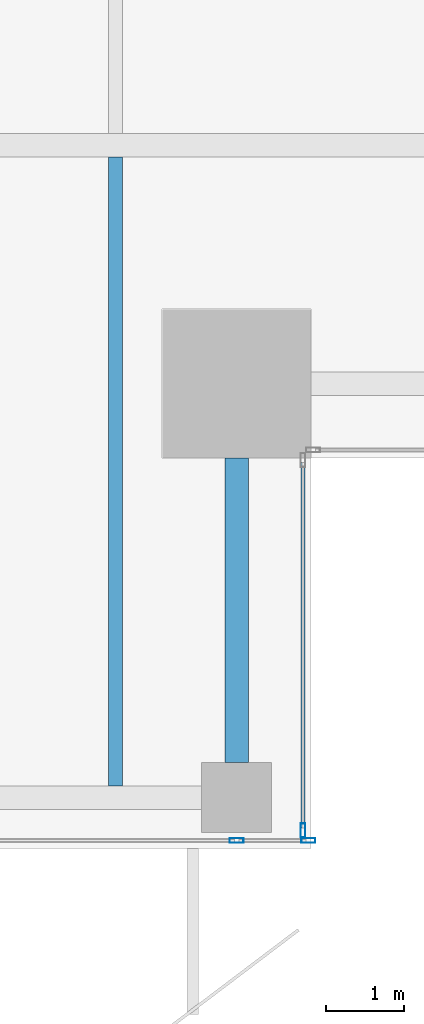
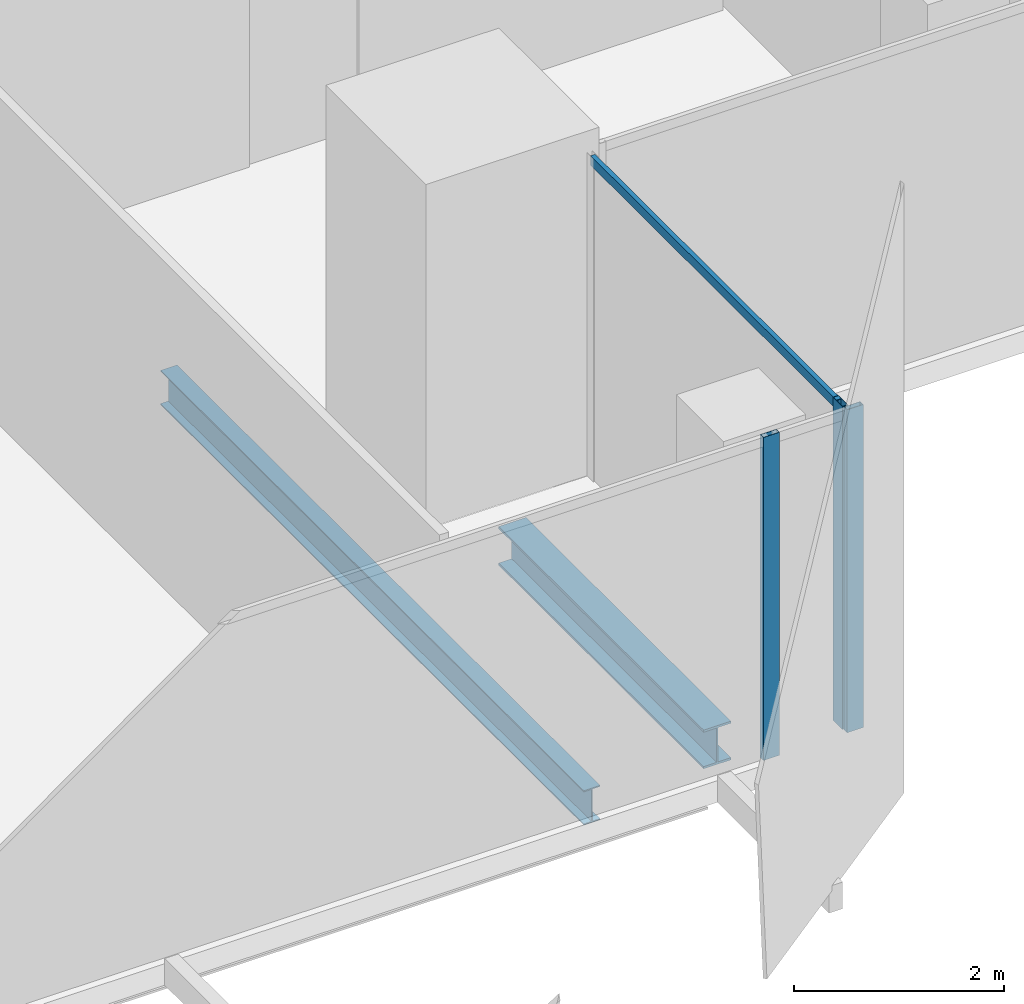
# One storey, part 8 of 35: 4 members, 2 beams, 2 elements without a shape of their own.
"""IFC4 building model written with IfcOpenShell, lengths in metres."""

from ifc_helpers import new_model, si_unit, direction, frame, origin, origin_2d, place, context, subcontext, project, spatial, hollow_rectangle, i_section, extrude, source, transform, mapped, material, material_profile, profile_set, type_object, element, aggregate, save


model = new_model("IFC4")

# Units and contexts
model_context = context("Model", 3, precision=1e-05, world=origin(), true_north=direction((0.0, 1.0)))
body_context = subcontext(model_context, "Body", "Model", "MODEL_VIEW")
ifc_project = project(units=[si_unit("LENGTHUNIT", "METRE"), si_unit("AREAUNIT", "SQUARE_METRE"), si_unit("VOLUMEUNIT", "CUBIC_METRE"), si_unit("PLANEANGLEUNIT", "RADIAN"), si_unit("MASSUNIT", "GRAM", prefix="KILO")], contexts=[model_context])

# Site, building, storey
site_placement = place(None, origin())
site = spatial("IfcSite", under=ifc_project, at=site_placement, CompositionType="ELEMENT")
building_placement = place(site_placement, origin())
building = spatial("IfcBuilding", under=site, at=building_placement, Name="Khomas Fold Tower", CompositionType="ELEMENT")
storey_placement = place(building_placement, frame((0.0, 0.0, 266.199951171875)))
storey = spatial("IfcBuildingStorey", under=building, at=storey_placement, Name="L60", CompositionType="ELEMENT", Elevation=266.199951171875)

# Beams
ifc_material_1 = material(Name="Steel S355", Category="steel")
ifc_material_profile_1 = material_profile(ifc_material_1, i_section(OverallWidth=0.300048828125, OverallDepth=0.449951171875, WebThickness=0.013916015625, FlangeThickness=0.02587890625, at=origin_2d()), Name="HE 450 B")
ifc_profile_set_1 = profile_set([ifc_material_profile_1], Name="Steel S355")
beam_type_1 = type_object("IfcBeamType", Name="HE 450 B spandrel SB4", PredefinedType="SPANDREL", material=ifc_profile_set_1)
shared_shape_1 = source(origin(), body_context, "Body", "SweptSolid", [
    extrude(i_section(OverallWidth=0.300048828125, OverallDepth=0.449951171875, WebThickness=0.013916015625, FlangeThickness=0.02587890625, at=origin_2d()), origin(), (0.0, 0.0, 1.0), 3.89990234375),
])
beam_1_placement = place(storey_placement, frame((43.550048828125, 5.60009765625, -0.474853515625), z_axis=(0.0, 1.0, 0.0), x_axis=(-1.0, 0.0, 0.0)))
element("IfcBeam", 1, at=beam_1_placement, inside=storey, type_object=beam_type_1, Name="SB4", PredefinedType="SPANDREL", context=body_context, shape_type="MappedRepresentation", body=[
    mapped(shared_shape_1, transform((0.0, 0.0, 0.0))),
])
ifc_material_2 = material(Name="Steel S355", Category="steel")
ifc_material_profile_2 = material_profile(ifc_material_2, i_section(OverallWidth=0.179931640625, OverallDepth=0.39990234375, WebThickness=0.008544921875, FlangeThickness=0.013427734375, at=origin_2d()), Name="IPE 400")
ifc_profile_set_2 = profile_set([ifc_material_profile_2], Name="Steel S355")
beam_type_2 = type_object("IfcBeamType", Name="IPE 400 beam JB3", PredefinedType="BEAM", material=ifc_profile_set_2)
shared_shape_2 = source(origin(), body_context, "Body", "SweptSolid", [
    extrude(i_section(OverallWidth=0.179931640625, OverallDepth=0.39990234375, WebThickness=0.008544921875, FlangeThickness=0.013427734375, at=origin_2d()), origin(), (0.0, 0.0, 1.0), 8.050048828125),
])
beam_2_placement = place(storey_placement, frame((42.0, 5.300048828125, -0.449951171875), z_axis=(0.0, 1.0, 0.0), x_axis=(-1.0, 0.0, 0.0)))
element("IfcBeam", 2, at=beam_2_placement, inside=storey, type_object=beam_type_2, Name="JB3", PredefinedType="BEAM", context=body_context, shape_type="MappedRepresentation", body=[
    mapped(shared_shape_2, transform((0.0, 0.0, 0.0))),
])

# Curtain wall, members
ifc_material_3 = material(Name="Aluminium framed double glazing", Category="aluminium")
curtain_wall_type = type_object("IfcCurtainWallType", Name="SK-Unitised clear-glass wall, office floors CW2", PredefinedType="NOTDEFINED", material=ifc_material_3)
curtain_wall_1_placement = place(storey_placement, origin())
curtain_wall_1 = element("IfcCurtainWall", 3, at=curtain_wall_1_placement, inside=storey, type_object=curtain_wall_type, Name="CW2 run L60 00-0", PredefinedType="NOTDEFINED")
ifc_material_4 = material(Name="Aluminium", Category="aluminium")
ifc_material_profile_3 = material_profile(ifc_material_4, hollow_rectangle(XDim=0.06005859375, YDim=0.179931640625, WallThickness=0.00390625, at=origin_2d()), Name="SK-Unitised clear-glass wall, office floors mullion CW2-M")
ifc_profile_set_3 = profile_set([ifc_material_profile_3], Name="Aluminium")
member_type_1 = type_object("IfcMemberType", Name="SK-Unitised clear-glass wall, office floors mullion CW2-M", PredefinedType="MULLION", material=ifc_profile_set_3)
shared_shape_3 = source(origin(), body_context, "Body", "SweptSolid", [
    extrude(hollow_rectangle(XDim=0.06005859375, YDim=0.179931640625, WallThickness=0.00390625, at=origin_2d()), origin(), (0.0, 0.0, 1.0), 3.75),
])
member_1_placement = place(storey_placement, frame((43.550048828125, 4.60009765625, 0.0), z_axis=(0.0, 0.0, 1.0), x_axis=(0.0, 1.0, 0.0)))
member_1 = element("IfcMember", 4, at=member_1_placement, type_object=member_type_1, Name="CW2 mullion 6", PredefinedType="MULLION", context=body_context, shape_type="MappedRepresentation", body=[
    mapped(shared_shape_3, transform((0.0, 0.0, 0.0))),
])
member_2_placement = place(storey_placement, frame((44.469970703125, 4.60009765625, 0.0), z_axis=(0.0, 0.0, 1.0), x_axis=(0.0, 1.0, 0.0)))
member_2 = element("IfcMember", 5, at=member_2_placement, type_object=member_type_1, Name="CW2 mullion 7", PredefinedType="MULLION", context=body_context, shape_type="MappedRepresentation", body=[
    mapped(shared_shape_3, transform((0.0, 0.0, 0.0))),
])
aggregate(curtain_wall_1, [member_1, member_2])

curtain_wall_2_placement = place(storey_placement, origin())
curtain_wall_2 = element("IfcCurtainWall", 6, at=curtain_wall_2_placement, inside=storey, type_object=curtain_wall_type, Name="CW2 corner return L60 01", PredefinedType="NOTDEFINED")
member_3_placement = place(storey_placement, frame((44.39990234375, 4.72998046875, 0.0), z_axis=(0.0, 0.0, 1.0), x_axis=(-1.0, 0.0, 0.0)))
member_3 = element("IfcMember", 7, at=member_3_placement, type_object=member_type_1, Name="CW2 mullion 1", PredefinedType="MULLION", context=body_context, shape_type="MappedRepresentation", body=[
    mapped(shared_shape_3, transform((0.0, 0.0, 0.0))),
])
ifc_material_5 = material(Name="Aluminium", Category="aluminium")
ifc_material_profile_4 = material_profile(ifc_material_5, hollow_rectangle(XDim=0.050048828125, YDim=0.110107421875, WallThickness=0.00390625, at=origin_2d()), Name="SK-Unitised clear-glass wall, office floors transom CW2-T")
ifc_profile_set_4 = profile_set([ifc_material_profile_4], Name="Aluminium")
member_type_2 = type_object("IfcMemberType", Name="SK-Unitised clear-glass wall, office floors transom CW2-T", PredefinedType="USERDEFINED", material=ifc_profile_set_4)
shared_shape_4 = source(origin(), body_context, "Body", "SweptSolid", [
    extrude(hollow_rectangle(XDim=0.050048828125, YDim=0.110107421875, WallThickness=0.00390625, at=origin_2d()), origin(), (0.0, 0.0, 1.0), 4.679931640625),
])
member_4_placement = place(storey_placement, frame((44.39990234375, 4.760009765625, 3.695068359375), z_axis=(0.0, 1.0, 0.0), x_axis=(-1.0, 0.0, 0.0)))
member_4 = element("IfcMember", 8, at=member_4_placement, type_object=member_type_2, Name="CW2 transom 1", ObjectType="TRANSOM", PredefinedType="USERDEFINED", context=body_context, shape_type="MappedRepresentation", body=[
    mapped(shared_shape_4, transform((0.0, 0.0, 0.0))),
])
aggregate(curtain_wall_2, [member_3, member_4])

save(model, "model.ifc")
